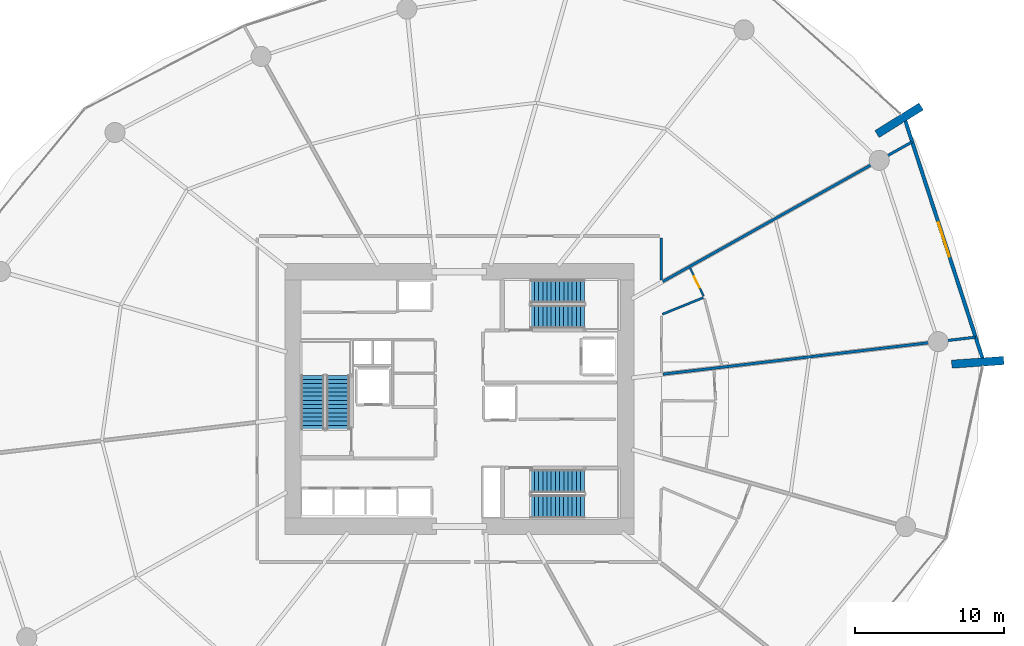
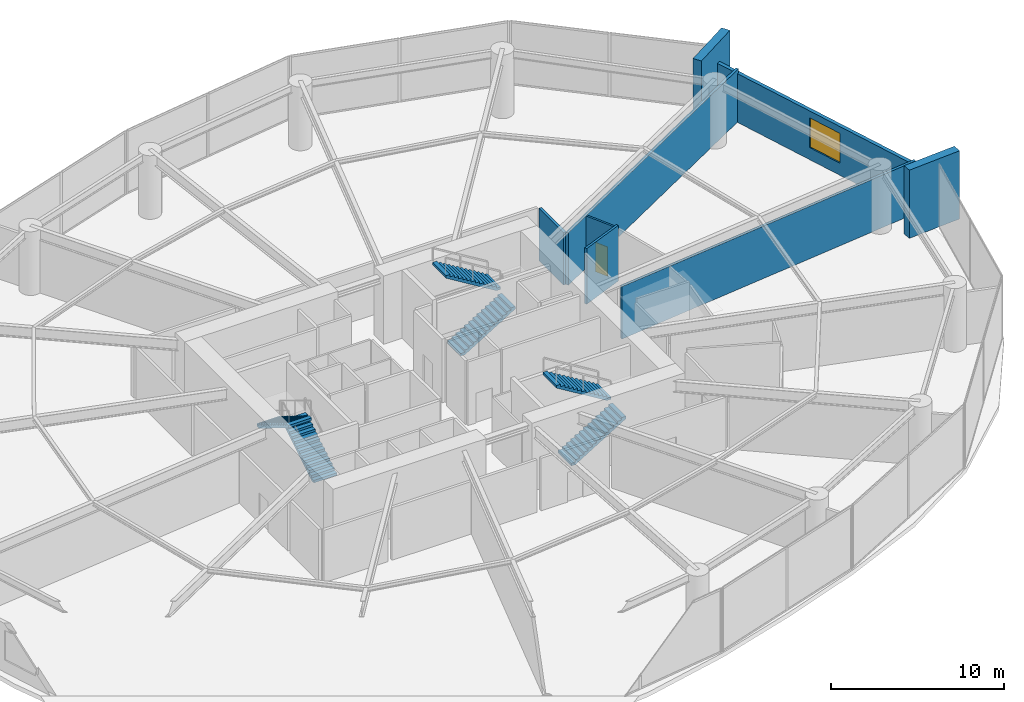
# One storey, part 20 of 22: 8 walls, 6 stair flights, 1 door, 1 window, 2 openings, 3 elements without a shape of their own.
"""IFC4 building model written with IfcOpenShell, lengths in metres."""

from ifc_helpers import new_model, si_unit, direction, frame, frame_2d, origin, place, context, subcontext, project, spatial, polyline, rectangle, outline, extrude, material, layer, layer_set, type_object, element, fill, aggregate, save


model = new_model("IFC4")

# Units and contexts
model_context = context("Model", 3, precision=1e-05, world=origin(), true_north=direction((0.0, 1.0)))
body_context = subcontext(model_context, "Body", "Model", "MODEL_VIEW")
ifc_project = project(units=[si_unit("LENGTHUNIT", "METRE"), si_unit("AREAUNIT", "SQUARE_METRE"), si_unit("VOLUMEUNIT", "CUBIC_METRE"), si_unit("PLANEANGLEUNIT", "RADIAN"), si_unit("MASSUNIT", "GRAM", prefix="KILO")], contexts=[model_context])

# Site, building, storey
site_placement = place(None, origin())
site = spatial("IfcSite", under=ifc_project, at=site_placement, CompositionType="ELEMENT")
building_placement = place(site_placement, origin())
building = spatial("IfcBuilding", under=site, at=building_placement, Name="Kazma Halo Residences", CompositionType="ELEMENT")
storey_placement = place(building_placement, frame((0.0, 0.0, 12.0)))
storey = spatial("IfcBuildingStorey", under=building, at=storey_placement, Name="L02", CompositionType="ELEMENT", Elevation=12.0)

# Walls
ifc_material_1 = material(Name="Pale Concrete C60/75", Category="concrete")
ifc_layer_1 = layer(ifc_material_1, 0.550048828125)
ifc_layer_set_1 = layer_set([ifc_layer_1], Name="Pale Concrete C60/75")
wall_type_1 = type_object("IfcWallType", Name="WL-BLADE-550", PredefinedType="SOLIDWALL", material=ifc_layer_set_1)
for number, where, z_axis, x_axis, name in (
    (1, (76.481201171875, 59.797119140625, 0.0), (0.0, 0.0, 1.0), (0.848053161125, 0.529911158502, 0.0), "L02 pale concrete structural blade fin wall BW-01"),
    (2, (81.502685546875, 44.3427734375, 0.0), (0.0, 0.0, 1.0), (0.997564163539, 0.069754853754, 0.0), "L02 pale concrete structural blade fin wall BW-04"),
):
    element("IfcWall", number, at=place(storey_placement, frame(where, z_axis=z_axis, x_axis=x_axis)), inside=storey, type_object=wall_type_1, Name=name, PredefinedType="SOLIDWALL", context=body_context, shape_type="SweptSolid", body=[
        extrude(rectangle(XDim=3.5, YDim=0.550048828125, at=frame_2d((1.75, 0.0))), origin(), (0.0, 0.0, 1.0), 4.800048828125),
    ])
ifc_material_2 = material(Name="Acoustic Twin-Stud Gypsum")
ifc_layer_2 = layer(ifc_material_2, 0.179931640625)
ifc_layer_set_2 = layer_set([ifc_layer_2], Name="Acoustic Twin-Stud Gypsum")
wall_type_2 = type_object("IfcWallType", Name="WL-DEM-180", PredefinedType="PARTITIONING", material=ifc_layer_set_2)
wall_1_placement = place(storey_placement, frame((62.0, 49.98046875, 0.0), z_axis=(0.0, 0.0, 1.0), x_axis=(0.0, 1.0, 0.0)))
element("IfcWall", 3, at=wall_1_placement, inside=storey, type_object=wall_type_2, Name="L02 Indoor Lap Pool Basin corridor wall", PredefinedType="PARTITIONING", context=body_context, shape_type="SweptSolid", body=[
    extrude(rectangle(XDim=2.82958984375, YDim=0.179931640625, at=frame_2d((1.414794921875, 0.0))), origin(), (0.0, 0.0, 1.0), 3.693115234375),
])
wall_2_placement = place(storey_placement, frame((62.095947265625, 49.89404296875, 0.0), z_axis=(0.0, 0.0, 1.0), x_axis=(0.872490608205, 0.488630881744, 0.0)))
element("IfcWall", 4, at=wall_2_placement, inside=storey, type_object=wall_type_2, Name="L02 radial partition wall 00", PredefinedType="PARTITIONING", context=body_context, shape_type="SweptSolid", body=[
    extrude(rectangle(XDim=19.184814453125, YDim=0.179931640625, at=frame_2d((9.59228515625, 0.0))), origin(), (0.0, 0.0, 1.0), 3.693115234375),
])
wall_3_placement = place(storey_placement, frame((62.109130859375, 43.669921875, 0.0), z_axis=(0.0, 0.0, 1.0), x_axis=(0.993068665713, 0.117535633659, 0.0)))
element("IfcWall", 5, at=wall_3_placement, inside=storey, type_object=wall_type_2, Name="L02 radial partition wall 15", PredefinedType="PARTITIONING", context=body_context, shape_type="SweptSolid", body=[
    extrude(rectangle(XDim=21.133056640625, YDim=0.179931640625, at=frame_2d((10.56640625, 0.0))), origin(), (0.0, 0.0, 1.0), 3.693115234375),
])

# Wall, opening, window
ifc_material_3 = material(Name="Insulated Pale-Metal Composite Wall")
ifc_layer_3 = layer(ifc_material_3, 0.239990234375)
ifc_layer_set_3 = layer_set([ifc_layer_3], Name="Insulated Pale-Metal Composite Wall")
wall_type_3 = type_object("IfcWallType", Name="WL-EXT-HOST-240", PredefinedType="SOLIDWALL", material=ifc_layer_set_3)
wall_4_placement = place(storey_placement, frame((83.57275390625, 44.724609375, 0.0), z_axis=(0.0, 0.0, 1.0), x_axis=(-0.309022005354, 0.951054888115, 0.0)))
wall_4 = element("IfcWall", 6, at=wall_4_placement, inside=storey, type_object=wall_type_3, Name="L02 podium end wall B16", PredefinedType="SOLIDWALL", context=body_context, shape_type="SweptSolid", body=[
    extrude(rectangle(XDim=16.802734375, YDim=0.239990234375, at=frame_2d((8.4013671875, 0.0))), origin(), (0.0, 0.0, 1.0), 3.429931640625),
])
opening_1_placement = place(wall_4_placement, frame((7.201171875, 0.0, 0.85009765625)))
opening_1 = element("IfcOpeningElement", 7, at=opening_1_placement, cuts=wall_4, Name="Opening W-2400", PredefinedType="OPENING", context=body_context, shape_type="SweptSolid", body=[
    extrude(rectangle(XDim=2.39990234375, YDim=2.10009765625, at=frame_2d((1.199951171875, 1.050048828125))), frame((0.0, 0.1298828125, 0.0), z_axis=(0.0, -1.0, 0.0), x_axis=(1.0, 0.0, 0.0)), (0.0, 0.0, 1.0), 0.260009765625),
])
ifc_material_4 = material(Name="Clear Triple-Silver Low-E Glass in Aluminium AW-6063 T6 Frame", Category="aluminium")
window_type = type_object("IfcWindowType", Name="WIN-POD-2400", PartitioningType="DOUBLE_PANEL_VERTICAL", PredefinedType="WINDOW", material=ifc_material_4)
window_placement = place(opening_1_placement, origin())
window = element("IfcWindow", 8, at=window_placement, inside=storey, type_object=window_type, Name="L02 podium vision window B16", OverallHeight=2.10009765625, OverallWidth=2.39990234375, PartitioningType="SINGLE_PANEL", PredefinedType="WINDOW", context=body_context, shape_type="SweptSolid", body=[
    extrude(rectangle(XDim=2.39990234375, YDim=2.10009765625, at=frame_2d((1.199951171875, 1.050048828125))), frame((0.0, 0.030029296875, 0.0), z_axis=(0.0, -1.0, 0.0), x_axis=(1.0, 0.0, 0.0)), (0.0, 0.0, 1.0), 0.06005859375),
])
fill(opening_1, window)

# Wall, opening, door
ifc_material_5 = material(Name="Gypsum Plasterboard Partition")
ifc_layer_4 = layer(ifc_material_5, 0.125)
ifc_layer_set_4 = layer_set([ifc_layer_4], Name="Gypsum Plasterboard Partition")
wall_type_4 = type_object("IfcWallType", Name="WL-PART-125", PredefinedType="PARTITIONING", material=ifc_layer_set_4)
wall_5_placement = place(storey_placement, frame((64.8388671875, 48.906494140625, 0.0), z_axis=(0.0, 0.0, 1.0), x_axis=(-0.432923235959, 0.901430791446, 0.0)))
wall_5 = element("IfcWall", 9, at=wall_5_placement, inside=storey, type_object=wall_type_4, Name="L02 supply store wall", PredefinedType="PARTITIONING", context=body_context, shape_type="SweptSolid", body=[
    extrude(rectangle(XDim=2.106201171875, YDim=0.125, at=frame_2d((1.05322265625, 0.0))), origin(), (0.0, 0.0, 1.0), 3.693115234375),
])
opening_2_placement = place(wall_5_placement, frame((0.628173828125, 0.0, 0.0)))
opening_2 = element("IfcOpeningElement", 10, at=opening_2_placement, cuts=wall_5, Name="Opening DS-850", PredefinedType="OPENING", context=body_context, shape_type="SweptSolid", body=[
    extrude(rectangle(XDim=0.85009765625, YDim=2.06005859375, at=frame_2d((0.425048828125, 1.030029296875))), frame((0.0, 0.072509765625, 0.0), z_axis=(0.0, -1.0, 0.0), x_axis=(1.0, 0.0, 0.0)), (0.0, 0.0, 1.0), 0.14501953125),
])
ifc_material_6 = material(Name="Painted Steel Access Leaf", Category="steel")
door_type = type_object("IfcDoorType", Name="DR-SVC-850", OperationType="NOTDEFINED", PredefinedType="DOOR", material=ifc_material_6)
door_placement = place(opening_2_placement, origin())
door = element("IfcDoor", 11, at=door_placement, inside=storey, type_object=door_type, Name="L02 supply store door", OperationType="SINGLE_SWING_RIGHT", OverallHeight=2.06005859375, OverallWidth=0.85009765625, PredefinedType="DOOR", context=body_context, shape_type="SweptSolid", body=[
    extrude(rectangle(XDim=0.85009765625, YDim=2.06005859375, at=frame_2d((0.425048828125, 1.030029296875))), frame((0.0, 0.02490234375, 0.0), z_axis=(0.0, -1.0, 0.0), x_axis=(1.0, 0.0, 0.0)), (0.0, 0.0, 1.0), 0.050048828125),
])
fill(opening_2, door)

# Wall
ifc_material_7 = material(Name="Moisture-Resistant Gypsum")
ifc_layer_5 = layer(ifc_material_7, 0.14990234375)
ifc_layer_set_5 = layer_set([ifc_layer_5], Name="Moisture-Resistant Gypsum")
wall_type_5 = type_object("IfcWallType", Name="WL-WET-150", PredefinedType="PARTITIONING", material=ifc_layer_set_5)
wall_6_placement = place(storey_placement, frame((62.07421875, 47.70068359375, 0.0), z_axis=(0.0, 0.0, 1.0), x_axis=(0.926852538468, 0.375425587747, 0.0)))
element("IfcWall", 12, at=wall_6_placement, inside=storey, type_object=wall_type_5, Name="L02 Spa Accessible WC side wall", PredefinedType="PARTITIONING", context=body_context, shape_type="SweptSolid", body=[
    extrude(rectangle(XDim=2.960205078125, YDim=0.14990234375, at=frame_2d((1.47998046875, 0.0))), origin(), (0.0, 0.0, 1.0), 3.919921875),
])

# Stair, stair flights
ifc_material_8 = material(Name="Concrete C50/60", Category="concrete")
stair_type = type_object("IfcStairType", Name="STR-POD", PredefinedType="HALF_TURN_STAIR", material=ifc_material_8)
stair_1_placement = place(storey_placement, origin())
stair_1 = element("IfcStair", 13, at=stair_1_placement, inside=storey, type_object=stair_type, Name="L02 Core exit stair ST-01", PredefinedType="HALF_TURN_STAIR")
stair_flight_type = type_object("IfcStairFlightType", Name="STR-POD-FLT", PredefinedType="STRAIGHT", material=ifc_material_8)
stair_flight_1_placement = place(storey_placement, frame((40.27490234375, 39.949951171875, 0.0), z_axis=(0.0, 0.0, 1.0), x_axis=(0.0, 1.0, 0.0)))
stair_flight_1 = element("IfcStairFlight", 14, at=stair_flight_1_placement, type_object=stair_flight_type, Name="ST-01 flight 1", NumberOfRisers=14, NumberOfTreads=13, PredefinedType="STRAIGHT", RiserHeight=0.171428571, TreadLength=0.28, context=body_context, shape_type="SweptSolid", body=[
    extrude(outline(polyline([(0.0, 0.0), (0.0, 0.17138671875), (0.280029296875, 0.17138671875), (0.280029296875, 0.3427734375), (0.56005859375, 0.3427734375), (0.56005859375, 0.514404296875), (0.840087890625, 0.514404296875), (0.840087890625, 0.685791015625), (1.1201171875, 0.685791015625), (1.1201171875, 0.857177734375), (1.39990234375, 0.857177734375), (1.39990234375, 1.028564453125), (1.679931640625, 1.028564453125), (1.679931640625, 1.199951171875), (1.9599609375, 1.199951171875), (1.9599609375, 1.371337890625), (2.239990234375, 1.371337890625), (2.239990234375, 1.54296875), (2.52001953125, 1.54296875), (2.52001953125, 1.71435546875), (2.800048828125, 1.71435546875), (2.800048828125, 1.8857421875), (3.080078125, 1.8857421875), (3.080078125, 2.05712890625), (3.360107421875, 2.05712890625), (3.360107421875, 2.228515625), (3.639892578125, 2.228515625), (3.639892578125, 2.39990234375), (3.639892578125, 2.052734375), (0.287109375, 0.0), (0.0, 0.0)])), frame((0.0, 0.77490234375, 0.0), z_axis=(0.0, -1.0, 0.0), x_axis=(1.0, 0.0, 0.0)), (0.0, 0.0, 1.0), 1.550048828125),
])
stair_flight_2_placement = place(storey_placement, frame((38.574951171875, 43.590087890625, 2.39990234375), z_axis=(0.0, 0.0, 1.0), x_axis=(0.0, -1.0, 0.0)))
stair_flight_2 = element("IfcStairFlight", 15, at=stair_flight_2_placement, type_object=stair_flight_type, Name="ST-01 flight 2", NumberOfRisers=14, NumberOfTreads=13, PredefinedType="STRAIGHT", RiserHeight=0.171428571, TreadLength=0.28, context=body_context, shape_type="SweptSolid", body=[
    extrude(outline(polyline([(0.0, 0.0), (0.0, 0.17138671875), (0.280029296875, 0.17138671875), (0.280029296875, 0.3427734375), (0.56005859375, 0.3427734375), (0.56005859375, 0.514404296875), (0.840087890625, 0.514404296875), (0.840087890625, 0.685791015625), (1.1201171875, 0.685791015625), (1.1201171875, 0.857177734375), (1.39990234375, 0.857177734375), (1.39990234375, 1.028564453125), (1.679931640625, 1.028564453125), (1.679931640625, 1.199951171875), (1.9599609375, 1.199951171875), (1.9599609375, 1.371337890625), (2.239990234375, 1.371337890625), (2.239990234375, 1.54296875), (2.52001953125, 1.54296875), (2.52001953125, 1.71435546875), (2.800048828125, 1.71435546875), (2.800048828125, 1.8857421875), (3.080078125, 1.8857421875), (3.080078125, 2.05712890625), (3.360107421875, 2.05712890625), (3.360107421875, 2.228515625), (3.639892578125, 2.228515625), (3.639892578125, 2.39990234375), (3.639892578125, 2.052734375), (0.287109375, 0.0), (0.0, 0.0)])), frame((0.0, 0.77490234375, 0.0), z_axis=(0.0, -1.0, 0.0), x_axis=(1.0, 0.0, 0.0)), (0.0, 0.0, 1.0), 1.550048828125),
])
aggregate(stair_1, [stair_flight_1, stair_flight_2])

stair_2_placement = place(storey_placement, origin())
stair_2 = element("IfcStair", 16, at=stair_2_placement, inside=storey, type_object=stair_type, Name="L02 Core exit stair ST-02", PredefinedType="HALF_TURN_STAIR")
stair_flight_3_placement = place(storey_placement, frame((53.199951171875, 47.52490234375, 0.0), z_axis=(0.0, 0.0, 1.0), x_axis=(1.0, 0.0, 0.0)))
stair_flight_3 = element("IfcStairFlight", 17, at=stair_flight_3_placement, type_object=stair_flight_type, Name="ST-02 flight 1", NumberOfRisers=14, NumberOfTreads=13, PredefinedType="STRAIGHT", RiserHeight=0.171428571, TreadLength=0.28, context=body_context, shape_type="SweptSolid", body=[
    extrude(outline(polyline([(0.0, 0.0), (0.0, 0.17138671875), (0.280029296875, 0.17138671875), (0.280029296875, 0.3427734375), (0.56005859375, 0.3427734375), (0.56005859375, 0.514404296875), (0.840087890625, 0.514404296875), (0.840087890625, 0.685791015625), (1.1201171875, 0.685791015625), (1.1201171875, 0.857177734375), (1.39990234375, 0.857177734375), (1.39990234375, 1.028564453125), (1.679931640625, 1.028564453125), (1.679931640625, 1.199951171875), (1.9599609375, 1.199951171875), (1.9599609375, 1.371337890625), (2.239990234375, 1.371337890625), (2.239990234375, 1.54296875), (2.52001953125, 1.54296875), (2.52001953125, 1.71435546875), (2.800048828125, 1.71435546875), (2.800048828125, 1.8857421875), (3.080078125, 1.8857421875), (3.080078125, 2.05712890625), (3.360107421875, 2.05712890625), (3.360107421875, 2.228515625), (3.639892578125, 2.228515625), (3.639892578125, 2.39990234375), (3.639892578125, 2.052734375), (0.287109375, 0.0), (0.0, 0.0)])), frame((0.0, 0.77490234375, 0.0), z_axis=(0.0, -1.0, 0.0), x_axis=(1.0, 0.0, 0.0)), (0.0, 0.0, 1.0), 1.550048828125),
])
stair_flight_4_placement = place(storey_placement, frame((56.840087890625, 49.22509765625, 2.39990234375), z_axis=(0.0, 0.0, 1.0), x_axis=(-1.0, 0.0, 0.0)))
stair_flight_4 = element("IfcStairFlight", 18, at=stair_flight_4_placement, type_object=stair_flight_type, Name="ST-02 flight 2", NumberOfRisers=14, NumberOfTreads=13, PredefinedType="STRAIGHT", RiserHeight=0.171428571, TreadLength=0.28, context=body_context, shape_type="SweptSolid", body=[
    extrude(outline(polyline([(0.0, 0.0), (0.0, 0.17138671875), (0.280029296875, 0.17138671875), (0.280029296875, 0.3427734375), (0.56005859375, 0.3427734375), (0.56005859375, 0.514404296875), (0.840087890625, 0.514404296875), (0.840087890625, 0.685791015625), (1.1201171875, 0.685791015625), (1.1201171875, 0.857177734375), (1.39990234375, 0.857177734375), (1.39990234375, 1.028564453125), (1.679931640625, 1.028564453125), (1.679931640625, 1.199951171875), (1.9599609375, 1.199951171875), (1.9599609375, 1.371337890625), (2.239990234375, 1.371337890625), (2.239990234375, 1.54296875), (2.52001953125, 1.54296875), (2.52001953125, 1.71435546875), (2.800048828125, 1.71435546875), (2.800048828125, 1.8857421875), (3.080078125, 1.8857421875), (3.080078125, 2.05712890625), (3.360107421875, 2.05712890625), (3.360107421875, 2.228515625), (3.639892578125, 2.228515625), (3.639892578125, 2.39990234375), (3.639892578125, 2.052734375), (0.287109375, 0.0), (0.0, 0.0)])), frame((0.0, 0.77490234375, 0.0), z_axis=(0.0, -1.0, 0.0), x_axis=(1.0, 0.0, 0.0)), (0.0, 0.0, 1.0), 1.550048828125),
])
aggregate(stair_2, [stair_flight_3, stair_flight_4])

stair_3_placement = place(storey_placement, origin())
stair_3 = element("IfcStair", 19, at=stair_3_placement, inside=storey, type_object=stair_type, Name="L02 Core exit stair ST-03", PredefinedType="HALF_TURN_STAIR")
stair_flight_5_placement = place(storey_placement, frame((53.199951171875, 34.77490234375, 0.0), z_axis=(0.0, 0.0, 1.0), x_axis=(1.0, 0.0, 0.0)))
stair_flight_5 = element("IfcStairFlight", 20, at=stair_flight_5_placement, type_object=stair_flight_type, Name="ST-03 flight 1", NumberOfRisers=14, NumberOfTreads=13, PredefinedType="STRAIGHT", RiserHeight=0.171428571, TreadLength=0.28, context=body_context, shape_type="SweptSolid", body=[
    extrude(outline(polyline([(0.0, 0.0), (0.0, 0.17138671875), (0.280029296875, 0.17138671875), (0.280029296875, 0.3427734375), (0.56005859375, 0.3427734375), (0.56005859375, 0.514404296875), (0.840087890625, 0.514404296875), (0.840087890625, 0.685791015625), (1.1201171875, 0.685791015625), (1.1201171875, 0.857177734375), (1.39990234375, 0.857177734375), (1.39990234375, 1.028564453125), (1.679931640625, 1.028564453125), (1.679931640625, 1.199951171875), (1.9599609375, 1.199951171875), (1.9599609375, 1.371337890625), (2.239990234375, 1.371337890625), (2.239990234375, 1.54296875), (2.52001953125, 1.54296875), (2.52001953125, 1.71435546875), (2.800048828125, 1.71435546875), (2.800048828125, 1.8857421875), (3.080078125, 1.8857421875), (3.080078125, 2.05712890625), (3.360107421875, 2.05712890625), (3.360107421875, 2.228515625), (3.639892578125, 2.228515625), (3.639892578125, 2.39990234375), (3.639892578125, 2.052734375), (0.287109375, 0.0), (0.0, 0.0)])), frame((0.0, 0.77490234375, 0.0), z_axis=(0.0, -1.0, 0.0), x_axis=(1.0, 0.0, 0.0)), (0.0, 0.0, 1.0), 1.550048828125),
])
stair_flight_6_placement = place(storey_placement, frame((56.840087890625, 36.47509765625, 2.39990234375), z_axis=(0.0, 0.0, 1.0), x_axis=(-1.0, 0.0, 0.0)))
stair_flight_6 = element("IfcStairFlight", 21, at=stair_flight_6_placement, type_object=stair_flight_type, Name="ST-03 flight 2", NumberOfRisers=14, NumberOfTreads=13, PredefinedType="STRAIGHT", RiserHeight=0.171428571, TreadLength=0.28, context=body_context, shape_type="SweptSolid", body=[
    extrude(outline(polyline([(0.0, 0.0), (0.0, 0.17138671875), (0.280029296875, 0.17138671875), (0.280029296875, 0.3427734375), (0.56005859375, 0.3427734375), (0.56005859375, 0.514404296875), (0.840087890625, 0.514404296875), (0.840087890625, 0.685791015625), (1.1201171875, 0.685791015625), (1.1201171875, 0.857177734375), (1.39990234375, 0.857177734375), (1.39990234375, 1.028564453125), (1.679931640625, 1.028564453125), (1.679931640625, 1.199951171875), (1.9599609375, 1.199951171875), (1.9599609375, 1.371337890625), (2.239990234375, 1.371337890625), (2.239990234375, 1.54296875), (2.52001953125, 1.54296875), (2.52001953125, 1.71435546875), (2.800048828125, 1.71435546875), (2.800048828125, 1.8857421875), (3.080078125, 1.8857421875), (3.080078125, 2.05712890625), (3.360107421875, 2.05712890625), (3.360107421875, 2.228515625), (3.639892578125, 2.228515625), (3.639892578125, 2.39990234375), (3.639892578125, 2.052734375), (0.287109375, 0.0), (0.0, 0.0)])), frame((0.0, 0.77490234375, 0.0), z_axis=(0.0, -1.0, 0.0), x_axis=(1.0, 0.0, 0.0)), (0.0, 0.0, 1.0), 1.550048828125),
])
aggregate(stair_3, [stair_flight_5, stair_flight_6])

save(model, "model.ifc")
